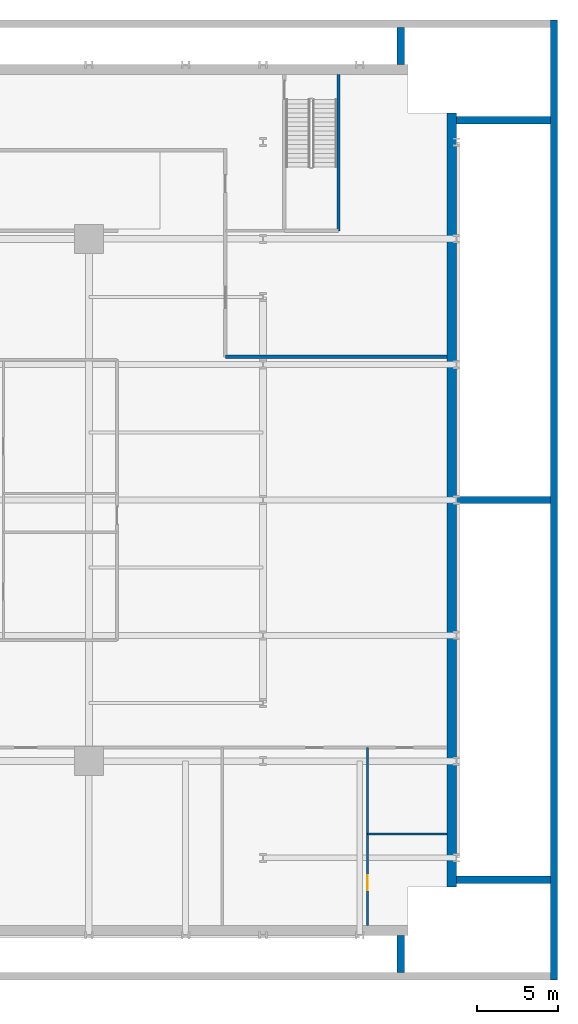
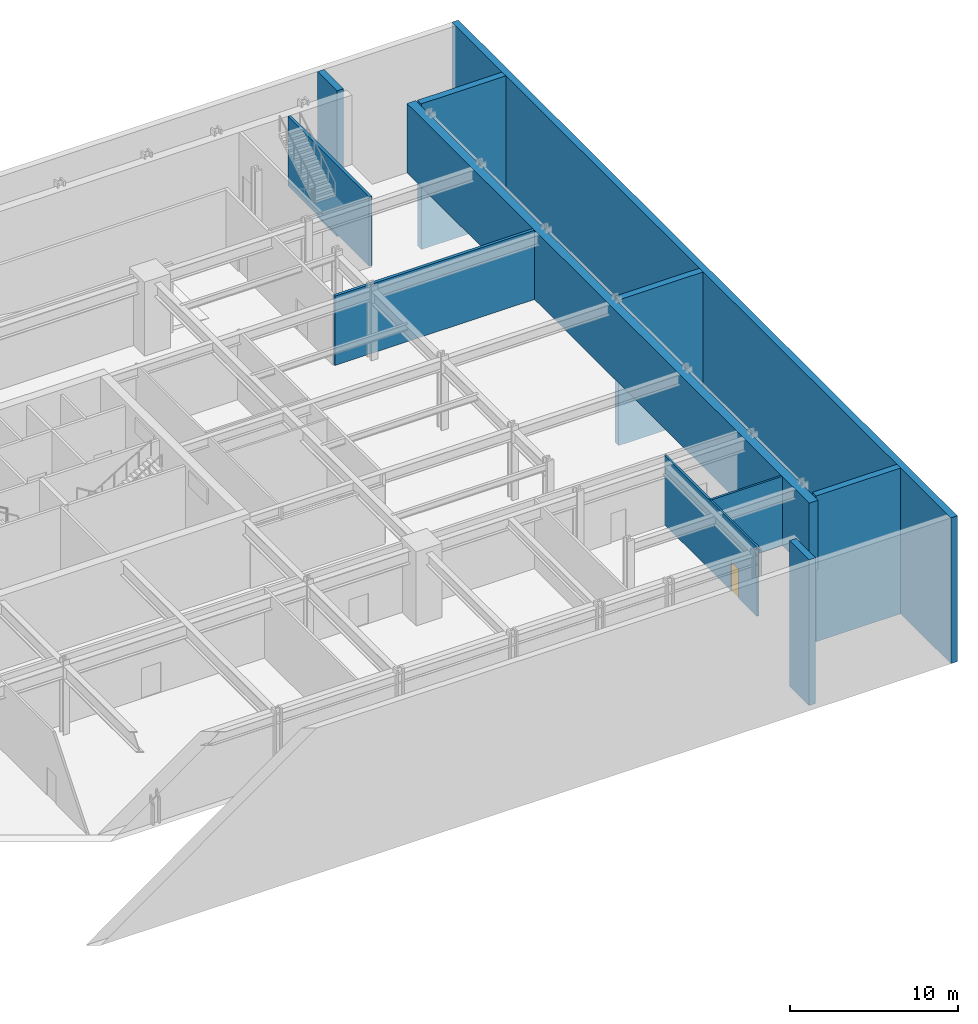
# One storey, part 5 of 9: 11 walls, 1 door, 1 opening.
"""IFC4 building model written with IfcOpenShell, lengths in metres."""

from ifc_helpers import new_model, si_unit, direction, frame, frame_2d, origin, place, context, subcontext, project, spatial, rectangle, extrude, material, layer, layer_set, type_object, element, fill, save


model = new_model("IFC4")

# Units and contexts
model_context = context("Model", 3, precision=1e-05, world=origin(), true_north=direction((0.0, 1.0)))
body_context = subcontext(model_context, "Body", "Model", "MODEL_VIEW")
ifc_project = project(units=[si_unit("LENGTHUNIT", "METRE"), si_unit("AREAUNIT", "SQUARE_METRE"), si_unit("VOLUMEUNIT", "CUBIC_METRE"), si_unit("PLANEANGLEUNIT", "RADIAN"), si_unit("MASSUNIT", "GRAM", prefix="KILO")], contexts=[model_context])

# Site, building, storey
site_placement = place(None, origin())
site = spatial("IfcSite", under=ifc_project, at=site_placement, CompositionType="ELEMENT")
building_placement = place(site_placement, origin())
building = spatial("IfcBuilding", under=site, at=building_placement, Name="Drelvath Grand Hotel", CompositionType="ELEMENT")
storey_placement = place(building_placement, frame((0.0, 0.0, -5.39990234375)))
storey = spatial("IfcBuildingStorey", under=building, at=storey_placement, Name="B1", CompositionType="ELEMENT", Elevation=-5.39990234375)

# Walls
ifc_material_1 = material(Name="Concrete f'c 55 MPa", Category="concrete")
ifc_layer_1 = layer(ifc_material_1, 0.60009765625)
ifc_layer_set_1 = layer_set([ifc_layer_1], Name="Concrete f'c 55 MPa")
wall_type_1 = type_object("IfcWallType", Name="Basement Perimeter Retaining Wall 600", PredefinedType="USERDEFINED", material=ifc_layer_set_1)
wall_1_placement = place(storey_placement, frame((38.699951171875, 51.0, 0.0), z_axis=(0.0, 0.0, 1.0), x_axis=(0.0, -1.0, 0.0)))
element("IfcWall", 1, at=wall_1_placement, inside=storey, type_object=wall_type_1, Name="B1 Perimeter Retaining Wall E", ObjectType="RETAININGWALL", PredefinedType="USERDEFINED", context=body_context, shape_type="SweptSolid", body=[
    extrude(rectangle(XDim=48.0, YDim=0.60009765625, at=frame_2d((24.0, 0.0))), origin(), (0.0, 0.0, 1.0), 5.0498046875),
])
wall_2_placement = place(storey_placement, frame((45.050048828125, -2.77490234375, -5.400146484375), z_axis=(0.0, 0.0, 1.0), x_axis=(0.0, 1.0, 0.0)))
element("IfcWall", 2, at=wall_2_placement, inside=storey, type_object=wall_type_1, Name="Sidewalk Frost Retaining Wall CURB-E-OUT", ObjectType="RETAININGWALL", PredefinedType="USERDEFINED", context=body_context, shape_type="SweptSolid", body=[
    extrude(rectangle(XDim=59.5498046875, YDim=0.449951171875, at=frame_2d((29.77490234375, 0.0))), origin(), (0.0, 0.0, 1.0), 10.6201171875),
])
for number, where, z_axis, x_axis, name in (
    (3, (39.0, 3.449951171875, -5.400146484375), (0.0, 0.0, 1.0), (1.0, 0.0, 0.0), "Sidewalk Frost Retaining Wall CURB-E-Y0"),
    (4, (39.0, 27.0, -5.400146484375), (0.0, 0.0, 1.0), (1.0, 0.0, 0.0), "Sidewalk Frost Retaining Wall CURB-E-Y27"),
    (5, (39.0, 50.550048828125, -5.400146484375), (0.0, 0.0, 1.0), (1.0, 0.0, 0.0), "Sidewalk Frost Retaining Wall CURB-E-Y54"),
):
    element("IfcWall", number, at=place(storey_placement, frame(where, z_axis=z_axis, x_axis=x_axis)), inside=storey, type_object=wall_type_1, Name=name, ObjectType="RETAININGWALL", PredefinedType="USERDEFINED", context=body_context, shape_type="SweptSolid", body=[
        extrude(rectangle(XDim=5.824951171875, YDim=0.449951171875, at=frame_2d((2.91259765625, 0.0))), origin(), (0.0, 0.0, 1.0), 10.6201171875),
    ])
for number, where, z_axis, x_axis, name in (
    (6, (35.550048828125, -2.324951171875, -5.400146484375), (0.0, 0.0, 1.0), (0.0, 1.0, 0.0), "Sidewalk Frost Retaining Wall CURB-S-X2"),
    (7, (35.550048828125, 54.0, -5.400146484375), (0.0, 0.0, 1.0), (0.0, 1.0, 0.0), "Sidewalk Frost Retaining Wall CURB-N-X2"),
):
    element("IfcWall", number, at=place(storey_placement, frame(where, z_axis=z_axis, x_axis=x_axis)), inside=storey, type_object=wall_type_1, Name=name, ObjectType="RETAININGWALL", PredefinedType="USERDEFINED", context=body_context, shape_type="SweptSolid", body=[
        extrude(rectangle(XDim=2.324951171875, YDim=0.449951171875, at=frame_2d((1.16259765625, 0.0))), origin(), (0.0, 0.0, 1.0), 10.6201171875),
    ])
ifc_material_2 = material(Name="Concrete C40/50", Category="concrete")
ifc_layer_2 = layer(ifc_material_2, 0.199951171875)
ifc_layer_set_2 = layer_set([ifc_layer_2], Name="Concrete C40/50")
wall_type_2 = type_object("IfcWallType", Name="Core Shaft Fire Wall 200", PredefinedType="SOLIDWALL", material=ifc_layer_set_2)
wall_3_placement = place(storey_placement, frame((31.679931640625, 53.39990234375, 0.0), z_axis=(0.0, 0.0, 1.0), x_axis=(0.0, -1.0, 0.0)))
element("IfcWall", 8, at=wall_3_placement, inside=storey, type_object=wall_type_2, Name="B1 Stair ST-4 East Wall", PredefinedType="SOLIDWALL", context=body_context, shape_type="SweptSolid", body=[
    extrude(rectangle(XDim=9.699951171875, YDim=0.199951171875, at=frame_2d((4.85009765625, 0.0))), origin(), (0.0, 0.0, 1.0), 5.0498046875),
])
wall_4_placement = place(storey_placement, frame((24.659912109375, 35.8798828125, 0.0), z_axis=(0.0, 0.0, 1.0), x_axis=(1.0, 0.0, 0.0)))
element("IfcWall", 9, at=wall_4_placement, inside=storey, type_object=wall_type_2, Name="B1 Refuse Room South Wall", PredefinedType="SOLIDWALL", context=body_context, shape_type="SweptSolid", body=[
    extrude(rectangle(XDim=13.739990234375, YDim=0.199951171875, at=frame_2d((6.8701171875, 0.0))), origin(), (0.0, 0.0, 1.0), 5.0498046875),
])

# Wall, opening, door
ifc_material_3 = material(Name="Moisture-Resistant Gypsum Board")
ifc_layer_3 = layer(ifc_material_3, 0.139892578125)
ifc_layer_set_3 = layer_set([ifc_layer_3], Name="Moisture-Resistant Gypsum Board")
wall_type_3 = type_object("IfcWallType", Name="En-Suite Plumbing Wall 140", PredefinedType="PLUMBINGWALL", material=ifc_layer_set_3)
wall_5_placement = place(storey_placement, frame((33.47998046875, 0.60009765625, 0.0), z_axis=(0.0, 0.0, 1.0), x_axis=(0.0, 1.0, 0.0)))
wall_5 = element("IfcWall", 10, at=wall_5_placement, inside=storey, type_object=wall_type_3, Name="B1 Staff WC Wall", PredefinedType="PLUMBINGWALL", context=body_context, shape_type="SweptSolid", body=[
    extrude(rectangle(XDim=11.039794921875, YDim=0.139892578125, at=frame_2d((5.52001953125, 0.0))), origin(), (0.0, 0.0, 1.0), 5.0498046875),
])
opening_placement = place(wall_5_placement, frame((2.199951171875, 0.0, 0.0)))
opening = element("IfcOpeningElement", 11, at=opening_placement, cuts=wall_5, Name="Opening D-B1-025", PredefinedType="OPENING", context=body_context, shape_type="SweptSolid", body=[
    extrude(rectangle(XDim=0.919921875, YDim=2.10009765625, at=frame_2d((0.4599609375, 1.050048828125))), frame((0.0, 0.079833984375, 0.0), z_axis=(0.0, -1.0, 0.0), x_axis=(1.0, 0.0, 0.0)), (0.0, 0.0, 1.0), 0.159912109375),
])
ifc_material_4 = material(Name="Painted Steel S275", Category="steel")
door_type = type_object("IfcDoorType", Name="Staff Utility Door 920x2100", OperationType="NOTDEFINED", PredefinedType="DOOR", material=ifc_material_4)
door_placement = place(opening_placement, origin())
door = element("IfcDoor", 12, at=door_placement, inside=storey, type_object=door_type, Name="B1 B1 Staff WC Door", OperationType="SINGLE_SWING_LEFT", OverallHeight=2.10009765625, OverallWidth=0.919921875, PredefinedType="DOOR", context=body_context, shape_type="SweptSolid", body=[
    extrude(rectangle(XDim=0.919921875, YDim=2.10009765625, at=frame_2d((0.4599609375, 1.050048828125))), frame((0.0, 0.02490234375, 0.0), z_axis=(0.0, -1.0, 0.0), x_axis=(1.0, 0.0, 0.0)), (0.0, 0.0, 1.0), 0.050048828125),
])
fill(opening, door)

# Wall
wall_6_placement = place(storey_placement, frame((33.47998046875, 6.280029296875, 0.0), z_axis=(0.0, 0.0, 1.0), x_axis=(1.0, 0.0, 0.0)))
element("IfcWall", 13, at=wall_6_placement, inside=storey, type_object=wall_type_3, Name="B1 Accessible WC Split", PredefinedType="PLUMBINGWALL", context=body_context, shape_type="SweptSolid", body=[
    extrude(rectangle(XDim=4.919921875, YDim=0.139892578125, at=frame_2d((2.4599609375, 0.0))), origin(), (0.0, 0.0, 1.0), 5.0498046875),
])

save(model, "model.ifc")
